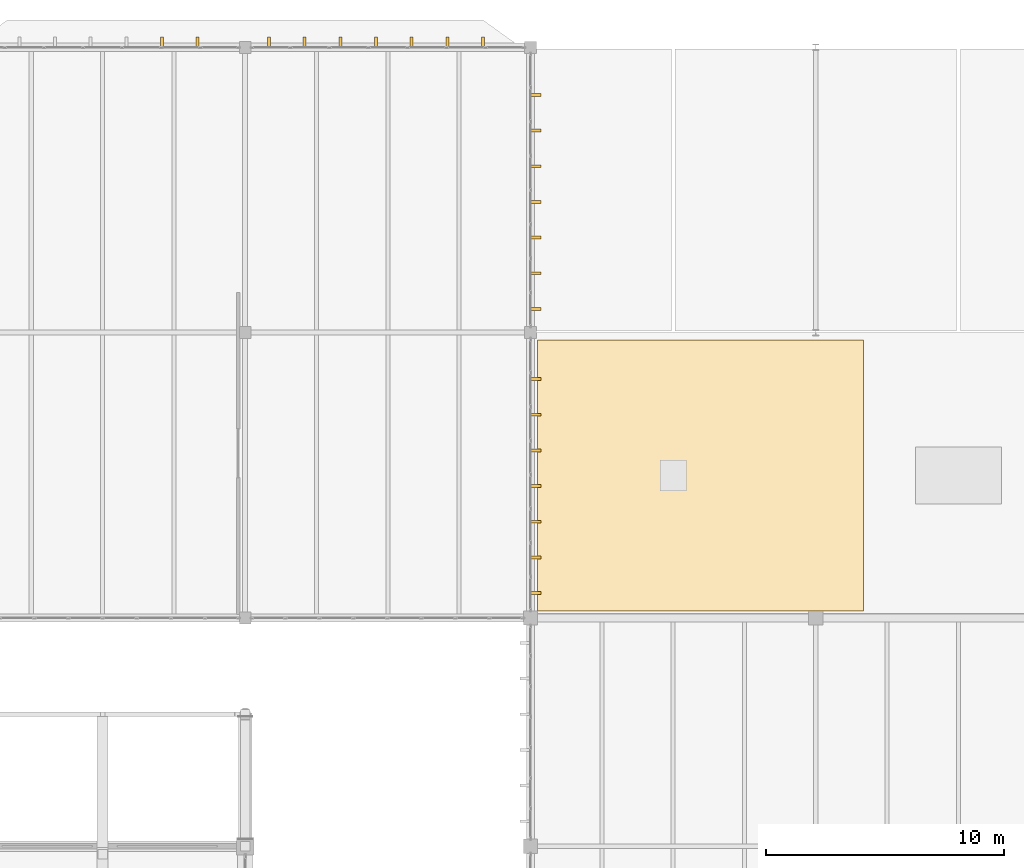
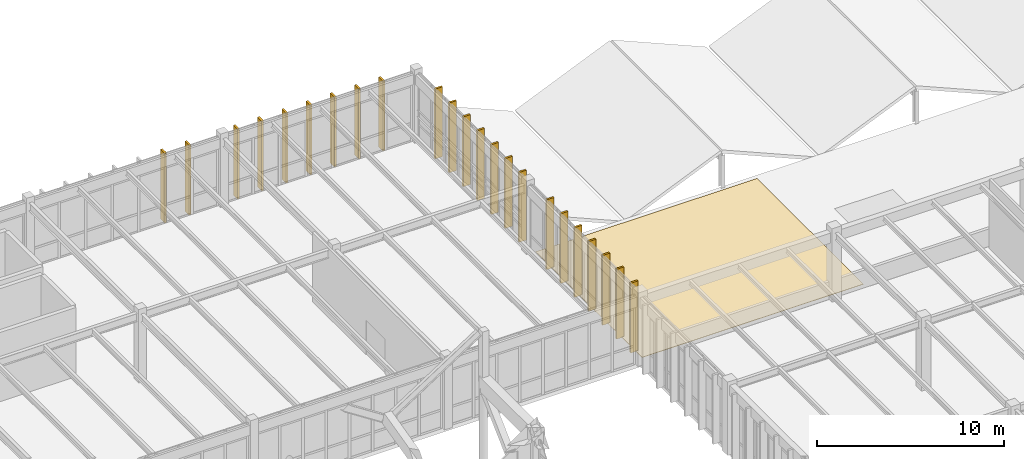
# One storey, part 236 of 236: 23 shading devices, 1 covering.
"""IFC4 building model written with IfcOpenShell, lengths in metres."""

from ifc_helpers import new_model, si_unit, direction, frame, origin, origin_2d, place, context, subcontext, project, spatial, polyline, rectangle, outline, extrude, material, layer, layer_set, type_object, element, save


model = new_model("IFC4")

# Units and contexts
model_context = context("Model", 3, precision=1e-05, world=origin(), true_north=direction((0.0, 1.0)))
body_context = subcontext(model_context, "Body", "Model", "MODEL_VIEW")
ifc_project = project(units=[si_unit("LENGTHUNIT", "METRE"), si_unit("AREAUNIT", "SQUARE_METRE"), si_unit("VOLUMEUNIT", "CUBIC_METRE"), si_unit("PLANEANGLEUNIT", "RADIAN"), si_unit("MASSUNIT", "GRAM", prefix="KILO")], contexts=[model_context])

# Site, building, storey
site_placement = place(None, origin())
site = spatial("IfcSite", under=ifc_project, at=site_placement, CompositionType="ELEMENT")
building_placement = place(site_placement, origin())
building = spatial("IfcBuilding", under=site, at=building_placement, Name="Pandanus Reach Market Hall", CompositionType="ELEMENT")
storey_placement = place(building_placement, frame((0.0, 0.0, 5.39990234375)))
storey = spatial("IfcBuildingStorey", under=building, at=storey_placement, Name="L01", CompositionType="ELEMENT", Elevation=5.39990234375)

# Shading devices
ifc_material_1 = material(Name="Precast concrete S50 (50 MPa)", Category="concrete")
shading_device_type = type_object("IfcShadingDeviceType", Name="FN-S50-450", PredefinedType="JALOUSIE", material=ifc_material_1)
for number, where, z_axis, x_axis, name in (
    (1, (128.5, 120.219970703125, -0.009765625), (0.0, 0.0, 1.0), (0.0, 1.0, 0.0), "Precast brise-soleil fin 631"),
    (2, (130.0, 120.219970703125, -0.009765625), (0.0, 0.0, 1.0), (0.0, 1.0, 0.0), "Precast brise-soleil fin 632"),
    (3, (133.0, 120.219970703125, -0.009765625), (0.0, 0.0, 1.0), (0.0, 1.0, 0.0), "Precast brise-soleil fin 633"),
    (4, (134.5, 120.219970703125, -0.009765625), (0.0, 0.0, 1.0), (0.0, 1.0, 0.0), "Precast brise-soleil fin 634"),
    (5, (136.0, 120.219970703125, -0.009765625), (0.0, 0.0, 1.0), (0.0, 1.0, 0.0), "Precast brise-soleil fin 635"),
    (6, (137.5, 120.219970703125, -0.009765625), (0.0, 0.0, 1.0), (0.0, 1.0, 0.0), "Precast brise-soleil fin 636"),
    (7, (139.0, 120.219970703125, -0.009765625), (0.0, 0.0, 1.0), (0.0, 1.0, 0.0), "Precast brise-soleil fin 637"),
    (8, (140.5, 120.219970703125, -0.009765625), (0.0, 0.0, 1.0), (0.0, 1.0, 0.0), "Precast brise-soleil fin 638"),
    (9, (142.0, 120.219970703125, -0.009765625), (0.0, 0.0, 1.0), (0.0, 1.0, 0.0), "Precast brise-soleil fin 639"),
    (10, (144.219970703125, 97.050048828125, -0.009765625), (0.0, 0.0, 1.0), (1.0, 0.0, 0.0), "Precast brise-soleil fin 654"),
    (11, (144.219970703125, 98.550048828125, -0.009765625), (0.0, 0.0, 1.0), (1.0, 0.0, 0.0), "Precast brise-soleil fin 655"),
    (12, (144.219970703125, 100.050048828125, -0.009765625), (0.0, 0.0, 1.0), (1.0, 0.0, 0.0), "Precast brise-soleil fin 656"),
    (13, (144.219970703125, 101.550048828125, -0.009765625), (0.0, 0.0, 1.0), (1.0, 0.0, 0.0), "Precast brise-soleil fin 657"),
    (14, (144.219970703125, 103.050048828125, -0.009765625), (0.0, 0.0, 1.0), (1.0, 0.0, 0.0), "Precast brise-soleil fin 658"),
    (15, (144.219970703125, 104.550048828125, -0.009765625), (0.0, 0.0, 1.0), (1.0, 0.0, 0.0), "Precast brise-soleil fin 659"),
    (16, (144.219970703125, 106.050048828125, -0.009765625), (0.0, 0.0, 1.0), (1.0, 0.0, 0.0), "Precast brise-soleil fin 660"),
    (17, (144.219970703125, 109.0, -0.009765625), (0.0, 0.0, 1.0), (1.0, 0.0, 0.0), "Precast brise-soleil fin 675"),
    (18, (144.219970703125, 110.5, -0.009765625), (0.0, 0.0, 1.0), (1.0, 0.0, 0.0), "Precast brise-soleil fin 676"),
    (19, (144.219970703125, 112.0, -0.009765625), (0.0, 0.0, 1.0), (1.0, 0.0, 0.0), "Precast brise-soleil fin 677"),
    (20, (144.219970703125, 113.5, -0.009765625), (0.0, 0.0, 1.0), (1.0, 0.0, 0.0), "Precast brise-soleil fin 678"),
    (21, (144.219970703125, 115.0, -0.009765625), (0.0, 0.0, 1.0), (1.0, 0.0, 0.0), "Precast brise-soleil fin 679"),
    (22, (144.219970703125, 116.5, -0.009765625), (0.0, 0.0, 1.0), (1.0, 0.0, 0.0), "Precast brise-soleil fin 680"),
    (23, (144.219970703125, 118.0, -0.009765625), (0.0, 0.0, 1.0), (1.0, 0.0, 0.0), "Precast brise-soleil fin 681"),
):
    element("IfcShadingDevice", number, at=place(storey_placement, frame(where, z_axis=z_axis, x_axis=x_axis)), inside=storey, type_object=shading_device_type, Name=name, PredefinedType="JALOUSIE", context=body_context, shape_type="SweptSolid", body=[
        extrude(rectangle(XDim=0.449951171875, YDim=0.1201171875, at=origin_2d()), origin(), (0.0, 0.0, 1.0), 4.570068359375),
    ])

# Covering
ifc_material_2 = material(Name="Reflective EPDM waterproof roofing membrane")
ifc_layer = layer(ifc_material_2, 0.02490234375, Name="RFG-MEM-25")
ifc_layer_set = layer_set([ifc_layer], Name="Reflective EPDM waterproof roofing membrane")
covering_type = type_object("IfcCoveringType", Name="RFG-MEM-25", PredefinedType="ROOFING", material=ifc_layer_set)
covering_placement = place(storey_placement, origin())
element("IfcCovering", 24, at=covering_placement, inside=storey, type_object=covering_type, Name="Roof membrane covering L01.2", PredefinedType="ROOFING", context=body_context, shape_type="SweptSolid", body=[
    extrude(outline(polyline([(144.300048828125, 96.300048828125), (158.0, 96.300048828125), (158.0, 107.699951171875), (144.300048828125, 107.699951171875), (144.300048828125, 96.300048828125)])), origin(), (0.0, 0.0, 1.0), 0.025146484375),
])

save(model, "model.ifc")
